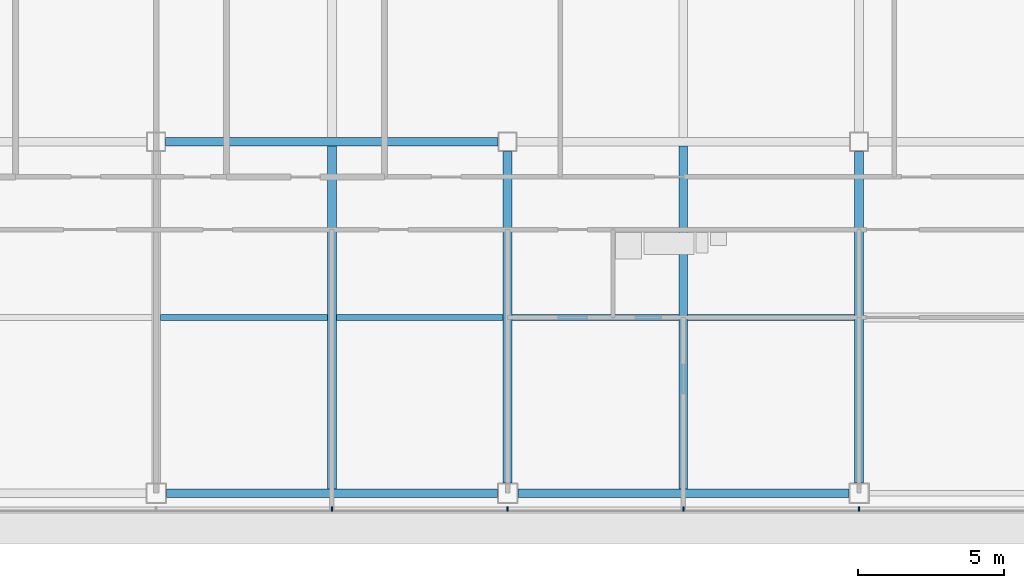
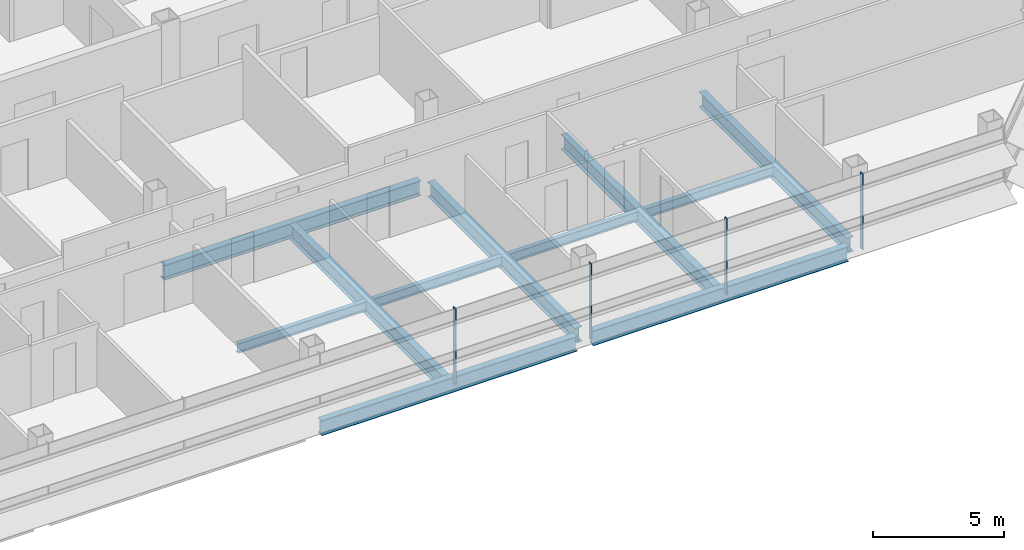
# One storey, part 8 of 26: 11 beams, 4 members, 1 element without a shape of its own.
"""IFC4 building model written with IfcOpenShell, lengths in metres."""

from ifc_helpers import new_model, si_unit, direction, frame, origin, origin_2d, place, context, subcontext, project, spatial, rectangle, i_section, extrude, material, material_profile, profile_set, type_object, element, aggregate, save


model = new_model("IFC4")

# Units and contexts
model_context = context("Model", 3, precision=1e-05, world=origin(), true_north=direction((0.0, 1.0)))
body_context = subcontext(model_context, "Body", "Model", "MODEL_VIEW")
ifc_project = project(units=[si_unit("LENGTHUNIT", "METRE"), si_unit("AREAUNIT", "SQUARE_METRE"), si_unit("VOLUMEUNIT", "CUBIC_METRE"), si_unit("PLANEANGLEUNIT", "RADIAN"), si_unit("MASSUNIT", "GRAM", prefix="KILO")], contexts=[model_context])

# Site, building, storey
site_placement = place(None, origin())
site = spatial("IfcSite", under=ifc_project, at=site_placement, CompositionType="ELEMENT")
building_placement = place(site_placement, origin())
building = spatial("IfcBuilding", under=site, at=building_placement, Name="Sorahane Residences", CompositionType="ELEMENT")
storey_placement = place(building_placement, frame((0.0, 0.0, 158.199951171875)))
storey = spatial("IfcBuildingStorey", under=building, at=storey_placement, Name="L36", CompositionType="ELEMENT", Elevation=158.199951171875)

# Curtain wall, members
ifc_material_1 = material(Name="Dark low-e glass and black anodised aluminium", Category="aluminium")
curtain_wall_type = type_object("IfcCurtainWallType", Name="Curtain wall CW-1 Typical unitised wall", PredefinedType="NOTDEFINED", material=ifc_material_1)
curtain_wall_placement = place(storey_placement, origin())
curtain_wall = element("IfcCurtainWall", 1, at=curtain_wall_placement, inside=storey, type_object=curtain_wall_type, Name="CW-1 curtain wall L36 S1", PredefinedType="NOTDEFINED")
ifc_material_2 = material(Name="Black anodised aluminium", Category="aluminium")
ifc_material_profile_1 = material_profile(ifc_material_2, rectangle(XDim=0.159912109375, YDim=0.050048828125, at=origin_2d()), Name="Curtain wall mullion CW-1 black anodised aluminium 50x160")
ifc_profile_set_1 = profile_set([ifc_material_profile_1], Name="Black anodised aluminium")
member_type = type_object("IfcMemberType", Name="Curtain wall mullion CW-1 black anodised aluminium 50x160", PredefinedType="MULLION", material=ifc_profile_set_1)
member_1_placement = place(storey_placement, frame((30.0, -0.5400390625, -0.179931640625), z_axis=(0.0, 0.0, 1.0), x_axis=(0.0, -1.0, 0.0)))
member_1 = element("IfcMember", 2, at=member_1_placement, type_object=member_type, Name="CW-1 mullion L36 S1.6", PredefinedType="MULLION", context=body_context, shape_type="SweptSolid", body=[
    extrude(rectangle(XDim=0.159912109375, YDim=0.050048828125, at=origin_2d()), origin(), (0.0, 0.0, 1.0), 3.56005859375),
])
member_2_placement = place(storey_placement, frame((36.0, -0.5400390625, -0.179931640625), z_axis=(0.0, 0.0, 1.0), x_axis=(0.0, -1.0, 0.0)))
member_2 = element("IfcMember", 3, at=member_2_placement, type_object=member_type, Name="CW-1 mullion L36 S1.7", PredefinedType="MULLION", context=body_context, shape_type="SweptSolid", body=[
    extrude(rectangle(XDim=0.159912109375, YDim=0.050048828125, at=origin_2d()), origin(), (0.0, 0.0, 1.0), 3.56005859375),
])
member_3_placement = place(storey_placement, frame((42.0, -0.5400390625, -0.179931640625), z_axis=(0.0, 0.0, 1.0), x_axis=(0.0, -1.0, 0.0)))
member_3 = element("IfcMember", 4, at=member_3_placement, type_object=member_type, Name="CW-1 mullion L36 S1.8", PredefinedType="MULLION", context=body_context, shape_type="SweptSolid", body=[
    extrude(rectangle(XDim=0.159912109375, YDim=0.050048828125, at=origin_2d()), origin(), (0.0, 0.0, 1.0), 3.56005859375),
])
member_4_placement = place(storey_placement, frame((48.0, -0.5400390625, -0.179931640625), z_axis=(0.0, 0.0, 1.0), x_axis=(0.0, -1.0, 0.0)))
member_4 = element("IfcMember", 5, at=member_4_placement, type_object=member_type, Name="CW-1 mullion L36 S1.9", PredefinedType="MULLION", context=body_context, shape_type="SweptSolid", body=[
    extrude(rectangle(XDim=0.159912109375, YDim=0.050048828125, at=origin_2d()), origin(), (0.0, 0.0, 1.0), 3.56005859375),
])
aggregate(curtain_wall, [member_1, member_2, member_3, member_4])

# Beams
ifc_material_3 = material(Name="Steel Q355B", Category="steel")
ifc_material_profile_2 = material_profile(ifc_material_3, i_section(OverallWidth=0.199951171875, OverallDepth=0.449951171875, WebThickness=0.009033203125, FlangeThickness=0.013916015625, FilletRadius=0.02001953125, at=origin_2d()), Name="HN 450x200x9x14")
ifc_profile_set_2 = profile_set([ifc_material_profile_2], Name="Steel Q355B")
beam_type_1 = type_object("IfcBeamType", Name="Steel floor beam HN 450x200x9x14 Q355B", PredefinedType="BEAM", material=ifc_profile_set_2)
for number, where, z_axis, x_axis, name in (
    (6, (24.14990234375, 6.0, -0.405029296875), (1.0, 0.0, 0.0), (0.0, 1.0, 0.0), "Beam L36 073"),
    (7, (30.14990234375, 6.0, -0.405029296875), (1.0, 0.0, 0.0), (0.0, 1.0, 0.0), "Beam L36 074"),
    (8, (36.14990234375, 6.0, -0.405029296875), (1.0, 0.0, 0.0), (0.0, 1.0, 0.0), "Beam L36 075"),
    (9, (42.14990234375, 6.0, -0.405029296875), (1.0, 0.0, 0.0), (0.0, 1.0, 0.0), "Beam L36 076"),
):
    element("IfcBeam", number, at=place(storey_placement, frame(where, z_axis=z_axis, x_axis=x_axis)), inside=storey, type_object=beam_type_1, Name=name, PredefinedType="BEAM", context=body_context, shape_type="SweptSolid", body=[
        extrude(i_section(OverallWidth=0.199951171875, OverallDepth=0.449951171875, WebThickness=0.009033203125, FlangeThickness=0.013916015625, FilletRadius=0.02001953125, at=origin_2d()), origin(), (0.0, 0.0, 1.0), 5.7001953125),
    ])
ifc_material_4 = material(Name="Steel Q355B", Category="steel")
ifc_material_profile_3 = material_profile(ifc_material_4, i_section(OverallWidth=0.300048828125, OverallDepth=0.699951171875, WebThickness=0.012939453125, FlangeThickness=0.02392578125, FilletRadius=0.028076171875, at=origin_2d()), Name="HN 700x300x13x24")
ifc_profile_set_3 = profile_set([ifc_material_profile_3], Name="Steel Q355B")
beam_type_2 = type_object("IfcBeamType", Name="Steel floor beam HN 700x300x13x24 Q355B", PredefinedType="BEAM", material=ifc_profile_set_3)
for number, where, z_axis, x_axis, name in (
    (10, (24.35009765625, 0.0, -0.530029296875), (1.0, 0.0, 0.0), (0.0, 1.0, 0.0), "Beam L36 002"),
    (11, (36.35009765625, 0.0, -0.530029296875), (1.0, 0.0, 0.0), (0.0, 1.0, 0.0), "Beam L36 003"),
):
    element("IfcBeam", number, at=place(storey_placement, frame(where, z_axis=z_axis, x_axis=x_axis)), inside=storey, type_object=beam_type_2, Name=name, PredefinedType="BEAM", context=body_context, shape_type="SweptSolid", body=[
        extrude(i_section(OverallWidth=0.300048828125, OverallDepth=0.699951171875, WebThickness=0.012939453125, FlangeThickness=0.02392578125, FilletRadius=0.028076171875, at=origin_2d()), origin(), (0.0, 0.0, 1.0), 11.2998046875),
    ])
beam_1_placement = place(storey_placement, frame((24.324951171875, 12.0, -0.530029296875), z_axis=(1.0, 0.0, 0.0), x_axis=(0.0, 1.0, 0.0)))
element("IfcBeam", 12, at=beam_1_placement, inside=storey, type_object=beam_type_2, Name="Beam L36 008", PredefinedType="BEAM", context=body_context, shape_type="SweptSolid", body=[
    extrude(i_section(OverallWidth=0.300048828125, OverallDepth=0.699951171875, WebThickness=0.012939453125, FlangeThickness=0.02392578125, FilletRadius=0.028076171875, at=origin_2d()), origin(), (0.0, 0.0, 1.0), 11.35009765625),
])
beam_2_placement = place(storey_placement, frame((30.0, 0.14990234375, -0.530029296875), z_axis=(0.0, 1.0, 0.0), x_axis=(-1.0, 0.0, 0.0)))
element("IfcBeam", 13, at=beam_2_placement, inside=storey, type_object=beam_type_2, Name="Beam L36 044", PredefinedType="BEAM", context=body_context, shape_type="SweptSolid", body=[
    extrude(i_section(OverallWidth=0.300048828125, OverallDepth=0.699951171875, WebThickness=0.012939453125, FlangeThickness=0.02392578125, FilletRadius=0.028076171875, at=origin_2d()), origin(), (0.0, 0.0, 1.0), 11.7001953125),
])
beam_3_placement = place(storey_placement, frame((36.0, 0.35009765625, -0.530029296875), z_axis=(0.0, 1.0, 0.0), x_axis=(-1.0, 0.0, 0.0)))
element("IfcBeam", 14, at=beam_3_placement, inside=storey, type_object=beam_type_2, Name="Beam L36 050", PredefinedType="BEAM", context=body_context, shape_type="SweptSolid", body=[
    extrude(i_section(OverallWidth=0.300048828125, OverallDepth=0.699951171875, WebThickness=0.012939453125, FlangeThickness=0.02392578125, FilletRadius=0.028076171875, at=origin_2d()), origin(), (0.0, 0.0, 1.0), 11.324951171875),
])
beam_4_placement = place(storey_placement, frame((42.0, 0.14990234375, -0.530029296875), z_axis=(0.0, 1.0, 0.0), x_axis=(-1.0, 0.0, 0.0)))
element("IfcBeam", 15, at=beam_4_placement, inside=storey, type_object=beam_type_2, Name="Beam L36 052", PredefinedType="BEAM", context=body_context, shape_type="SweptSolid", body=[
    extrude(i_section(OverallWidth=0.300048828125, OverallDepth=0.699951171875, WebThickness=0.012939453125, FlangeThickness=0.02392578125, FilletRadius=0.028076171875, at=origin_2d()), origin(), (0.0, 0.0, 1.0), 11.7001953125),
])
beam_5_placement = place(storey_placement, frame((48.0, 0.35009765625, -0.530029296875), z_axis=(0.0, 1.0, 0.0), x_axis=(-1.0, 0.0, 0.0)))
element("IfcBeam", 16, at=beam_5_placement, inside=storey, type_object=beam_type_2, Name="Beam L36 058", PredefinedType="BEAM", context=body_context, shape_type="SweptSolid", body=[
    extrude(i_section(OverallWidth=0.300048828125, OverallDepth=0.699951171875, WebThickness=0.012939453125, FlangeThickness=0.02392578125, FilletRadius=0.028076171875, at=origin_2d()), origin(), (0.0, 0.0, 1.0), 11.324951171875),
])

save(model, "model.ifc")
